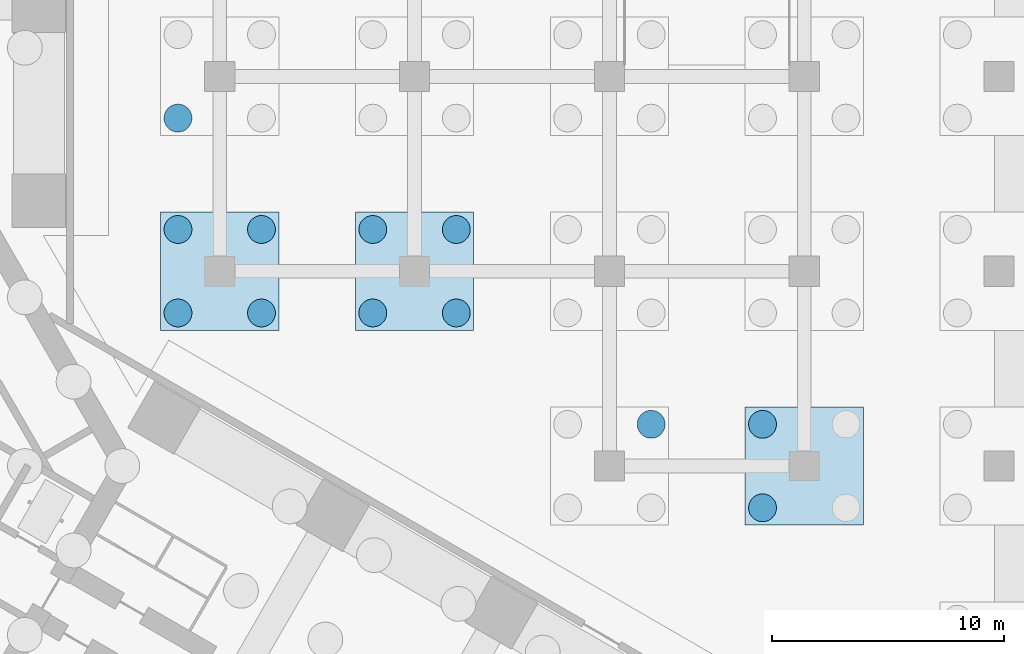
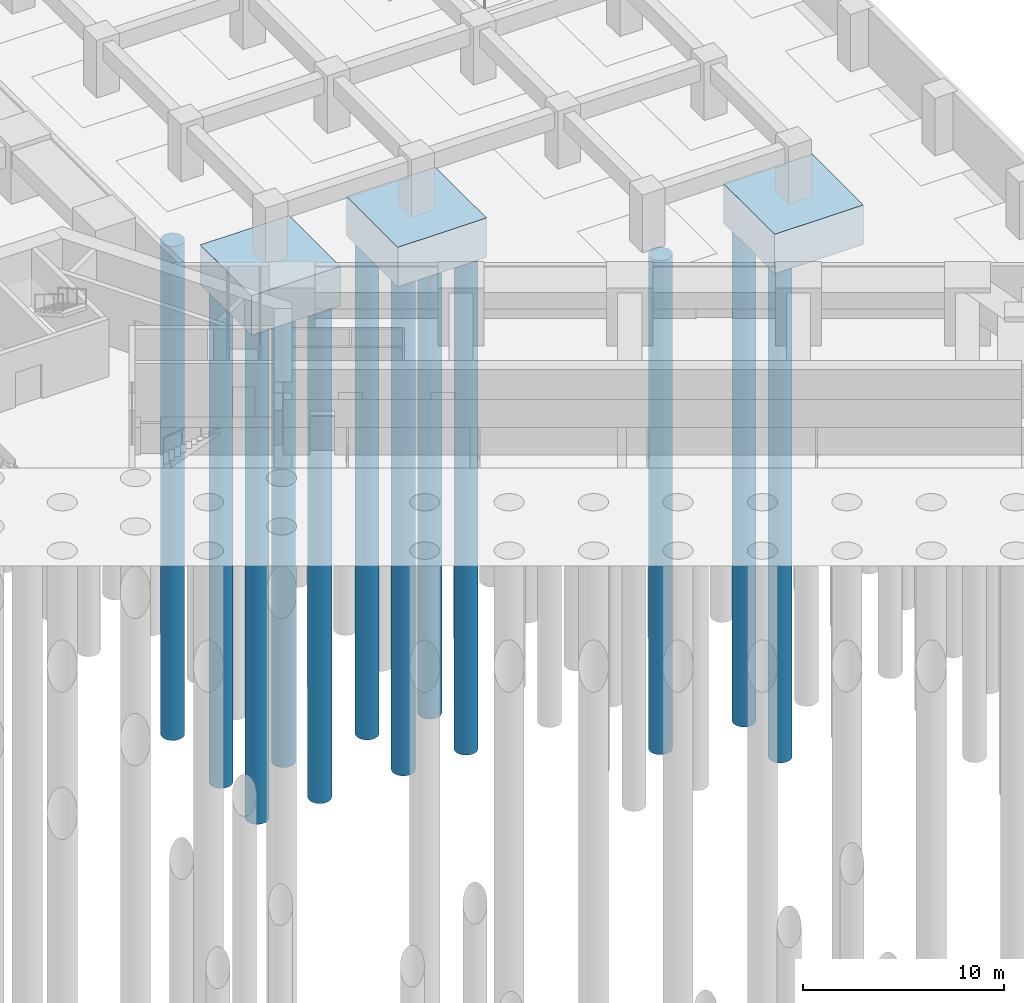
# One storey, part 27 of 73: 12 piles, 3 footings.
"""IFC4 building model written with IfcOpenShell, lengths in metres."""

import ifcopenshell
import ifcopenshell.guid

model = None  # the IFC model being written
_history = None  # IfcOwnerHistory: only IFC2X3 demands one
_inside = {}  # id of a spatial element -> (the spatial element, [elements in it])
_under = {}  # id of a project, library or spatial element -> (it, [spatial elements below it])
_declared = {}  # id of a project -> (the project, [libraries it declares])
_typed = {}  # id of a type object -> (the type object, [elements of that type])
_made_of = {}  # id of a material, layer set ... -> (it, [elements and type objects made of it])


def new_model(schema):
    """Start an empty IFC model of exactly this schema.

    Asked for "IFC4X3", IfcOpenShell would pick the latest addendum, in which some entities
    have other attributes; the version numbers below select the first issue.
    IFC2X3 requires an IfcOwnerHistory on every rooted entity: one is made here for all.
    """
    global model, _history
    if schema == "IFC4X3":
        model = ifcopenshell.file(schema_version=(4, 3, 0, 0))
    else:
        model = ifcopenshell.file(schema=schema)
    _inside.clear()
    _under.clear()
    _declared.clear()
    _typed.clear()
    _made_of.clear()
    _history = None
    if model.schema == "IFC2X3":
        org = make("IfcOrganization", Name="unknown")
        user = make(
            "IfcPersonAndOrganization",
            ThePerson=make("IfcPerson", FamilyName="unknown"),
            TheOrganization=org,
        )
        app = make(
            "IfcApplication",
            ApplicationDeveloper=org,
            Version="unknown",
            ApplicationFullName="unknown",
            ApplicationIdentifier="unknown",
        )
        _history = make(
            "IfcOwnerHistory",
            OwningUser=user,
            OwningApplication=app,
            ChangeAction="ADDED",
            CreationDate=0,
        )
    return model


def make(cls, **values):
    """One entity of the class cls with the attributes given. An attribute that is None is left unset."""
    return model.create_entity(
        cls, **{name: value for name, value in values.items() if value is not None}
    )


def rooted(cls, **values):
    """An entity with a GlobalId (a new one), such as an element, a storey or a relation."""
    return make(cls, GlobalId=ifcopenshell.guid.new(), OwnerHistory=_history, **values)


def si_unit(unit_type, name, prefix=None):
    """IfcSIUnit, for example si_unit("LENGTHUNIT", "METRE", prefix="MILLI")."""
    return make("IfcSIUnit", UnitType=unit_type, Prefix=prefix, Name=name)


def assignment(units):
    """IfcUnitAssignment: the units of a project."""
    return None if units is None else make("IfcUnitAssignment", Units=units)


def point(xyz):
    """IfcCartesianPoint."""
    return None if xyz is None else make("IfcCartesianPoint", Coordinates=xyz)


def direction(xyz):
    """IfcDirection."""
    return None if xyz is None else make("IfcDirection", DirectionRatios=xyz)


def frame(location, z_axis=None, x_axis=None):
    """IfcAxis2Placement3D, a coordinate frame: its origin and axes. An axis left out is left unset."""
    return make(
        "IfcAxis2Placement3D",
        Location=point(location),
        Axis=direction(z_axis),
        RefDirection=direction(x_axis),
    )


def frame_2d(location, x_axis=None):
    """IfcAxis2Placement2D, a coordinate frame in the plane: its origin and x axis."""
    return make(
        "IfcAxis2Placement2D", Location=point(location), RefDirection=direction(x_axis)
    )


def origin():
    """The frame at (0, 0, 0) with its axes left unset."""
    return frame((0.0, 0.0, 0.0))


def origin_2d():
    """The frame at (0, 0) in the plane with its x axis left unset."""
    return frame_2d((0.0, 0.0))


def place(relative_to, where):
    """IfcLocalPlacement: puts the frame where relative to a parent placement (None: the world)."""
    return make(
        "IfcLocalPlacement", PlacementRelTo=relative_to, RelativePlacement=where
    )


def context(
    kind, dimensions, precision=None, world=None, true_north=None, identifier=None
):
    """IfcGeometricRepresentationContext, for example the 3D "Model" context."""
    return make(
        "IfcGeometricRepresentationContext",
        ContextIdentifier=identifier,
        ContextType=kind,
        CoordinateSpaceDimension=dimensions,
        Precision=precision,
        WorldCoordinateSystem=world,
        TrueNorth=true_north,
    )


def subcontext(parent, identifier, kind, view, scale=None):
    """IfcGeometricRepresentationSubContext, for example "Body" below "Model"."""
    return make(
        "IfcGeometricRepresentationSubContext",
        ContextIdentifier=identifier,
        ContextType=kind,
        ParentContext=parent,
        TargetScale=scale,
        TargetView=view,
    )


def project(units=None, contexts=None):
    """IfcProject with its units and contexts."""
    return rooted(
        "IfcProject",
        Name="project",
        RepresentationContexts=contexts,
        UnitsInContext=assignment(units),
    )


def spatial(cls, under=None, at=None, **own):
    """A site, building, storey or space (cls), placed at a placement, below another one or the project."""
    s = rooted(cls, ObjectPlacement=at, **own)
    if under is not None:
        _under.setdefault(under.id(), (under, []))[1].append(s)
    return s


def polyline(points):
    """IfcPolyline through the points."""
    return make("IfcPolyline", Points=[point(p) for p in points])


def profile(cls, at=None, kind="AREA", **sizes):
    """A parametric profile (cls). Its sizes go by their IFC names, for example OverallWidth=200.0."""
    return make(cls, ProfileType=kind, Position=at, **sizes)


def circle(**sizes):
    """IfcCircleProfileDef."""
    return profile("IfcCircleProfileDef", **sizes)


def outline(outer, holes=None, kind="AREA"):
    """IfcArbitraryClosedProfileDef: a profile drawn as a closed curve; with holes, ...WithVoids."""
    if holes is None:
        return make("IfcArbitraryClosedProfileDef", ProfileType=kind, OuterCurve=outer)
    return make(
        "IfcArbitraryProfileDefWithVoids",
        ProfileType=kind,
        OuterCurve=outer,
        InnerCurves=holes,
    )


def extrude(swept, where, along, depth):
    """IfcExtrudedAreaSolid: the profile swept, set in the frame where, extruded along a direction by depth."""
    return make(
        "IfcExtrudedAreaSolid",
        SweptArea=swept,
        Position=where,
        ExtrudedDirection=direction(along),
        Depth=depth,
    )


def shape(context_of_items, identifier, shape_type, items):
    """IfcShapeRepresentation: the items that make up one representation, for example the "Body"."""
    return make(
        "IfcShapeRepresentation",
        ContextOfItems=context_of_items,
        RepresentationIdentifier=identifier,
        RepresentationType=shape_type,
        Items=items,
    )


def material(Name=None, Category=None):
    """IfcMaterial."""
    return make("IfcMaterial", Name=Name, Category=Category)


def material_profile(
    of_material, cross_section, Name=None, Category=None, Priority=None
):
    """IfcMaterialProfile: a cross section and its material."""
    return make(
        "IfcMaterialProfile",
        Name=Name,
        Material=of_material,
        Profile=cross_section,
        Priority=Priority,
        Category=Category,
    )


def profile_set(profiles, Name=None, composite=None):
    """IfcMaterialProfileSet."""
    return make(
        "IfcMaterialProfileSet",
        Name=Name,
        MaterialProfiles=profiles,
        CompositeProfile=composite,
    )


def made_of(thing, what):
    """Note that an element or type object is made of a material, layer set ...; save() writes the relation."""
    if what is not None:
        _made_of.setdefault(what.id(), (what, []))[1].append(thing)
    return thing


def type_object(cls, material=None, **own):
    """A type object (cls), such as IfcWallType, which elements share."""
    return made_of(rooted(cls, **own), material)


def element(
    cls,
    number,
    at=None,
    inside=None,
    cuts=None,
    type_object=None,
    material=None,
    context=None,
    identifier="Body",
    shape_type=None,
    held_by="IfcProductDefinitionShape",
    body=None,
    shapes=None,
    **own,
):
    """One element of the class cls, such as IfcWall. Its Tag is "e" and its number.

    at: its placement. inside: the storey or other place that contains it. cuts: it is an
    opening in that element (IfcRelVoidsElement). A single representation is given by context,
    identifier, shape_type and body (its items); several are given by shapes. held_by: the class
    of the entity that holds the representations. save() writes the other relations.
    """
    e = rooted(cls, Tag="e%d" % number, ObjectPlacement=at, **own)
    if body is not None:
        shapes = [shape(context, identifier, shape_type, body)]
    if shapes is not None:
        e.Representation = make(held_by, Representations=shapes)
    if inside is not None:
        _inside.setdefault(inside.id(), (inside, []))[1].append(e)
    if cuts is not None:
        rooted(
            "IfcRelVoidsElement", RelatingBuildingElement=cuts, RelatedOpeningElement=e
        )
    if type_object is not None:
        _typed.setdefault(type_object.id(), (type_object, []))[1].append(e)
    return made_of(e, material)


def aggregate(whole, parts):
    """IfcRelAggregates: a whole, such as a stair, and the parts it consists of."""
    return rooted("IfcRelAggregates", RelatingObject=whole, RelatedObjects=parts)


def save(model, path):
    """Write the relations noted so far, then the file.

    IfcRelAggregates (storeys below a building ...), IfcRelContainedInSpatialStructure (elements
    in a storey), IfcRelDefinesByType, IfcRelAssociatesMaterial and IfcRelDeclares: one each for
    every whole, place, type object, material and project.
    """
    for whole, parts in _under.values():
        aggregate(whole, parts)
    for where, things in _inside.values():
        rooted(
            "IfcRelContainedInSpatialStructure",
            RelatedElements=things,
            RelatingStructure=where,
        )
    for kind, things in _typed.values():
        rooted("IfcRelDefinesByType", RelatedObjects=things, RelatingType=kind)
    for what, things in _made_of.values():
        rooted("IfcRelAssociatesMaterial", RelatedObjects=things, RelatingMaterial=what)
    for by, libraries in _declared.values():
        rooted("IfcRelDeclares", RelatingContext=by, RelatedDefinitions=libraries)
    model.write(path)


model = new_model("IFC4")

# Units and contexts
model_context = context("Model", 3, precision=1e-05, world=origin(), true_north=direction((0.0, 1.0)))
body_context = subcontext(model_context, "Body", "Model", "MODEL_VIEW")
ifc_project = project(units=[si_unit("LENGTHUNIT", "METRE"), si_unit("AREAUNIT", "SQUARE_METRE"), si_unit("VOLUMEUNIT", "CUBIC_METRE"), si_unit("PLANEANGLEUNIT", "RADIAN"), si_unit("MASSUNIT", "GRAM", prefix="KILO")], contexts=[model_context])

# Site, building, storey
site_placement = place(None, origin())
site = spatial("IfcSite", under=ifc_project, at=site_placement, CompositionType="ELEMENT")
building_placement = place(site_placement, origin())
building = spatial("IfcBuilding", under=site, at=building_placement, Name="Impinga Residences", CompositionType="ELEMENT")
storey_placement = place(building_placement, frame((0.0, 0.0, -10.5)))
storey = spatial("IfcBuildingStorey", under=building, at=storey_placement, Name="B3", CompositionType="ELEMENT", Elevation=-10.5)

# Piles
ifc_material_1 = material(Name="Concrete C35/45", Category="concrete")
ifc_material_profile = material_profile(ifc_material_1, circle(Radius=0.60009765625, at=origin_2d()), Name="D1200")
ifc_profile_set = profile_set([ifc_material_profile], Name="Concrete C35/45")
pile_type = type_object("IfcPileType", Name="BP2 bored pile D1200", PredefinedType="BORED", material=ifc_profile_set)
pile_1_placement = place(storey_placement, frame((15.0, 6.60009765625, -2.39990234375), z_axis=(0.0, 0.0, -1.0), x_axis=(1.0, 0.0, 0.0)))
element("IfcPile", 1, at=pile_1_placement, inside=storey, type_object=pile_type, Name="Cap pile BP2 9/G-1", PredefinedType="BORED", context=body_context, shape_type="SweptSolid", body=[
    extrude(outline(polyline([(0.60009765625, 0.0), (0.59716796875, 0.058837890625), (0.58837890625, 0.116943359375), (0.57421875, 0.174072265625), (0.554443359375, 0.2294921875), (0.529052734375, 0.282958984375), (0.498779296875, 0.333251953125), (0.4638671875, 0.380615234375), (0.42431640625, 0.42431640625), (0.380615234375, 0.4638671875), (0.333251953125, 0.498779296875), (0.282958984375, 0.529052734375), (0.2294921875, 0.554443359375), (0.174072265625, 0.57421875), (0.116943359375, 0.58837890625), (0.058837890625, 0.59716796875), (0.0, 0.60009765625), (-0.058837890625, 0.59716796875), (-0.116943359375, 0.58837890625), (-0.174072265625, 0.57421875), (-0.2294921875, 0.554443359375), (-0.282958984375, 0.529052734375), (-0.333251953125, 0.498779296875), (-0.380615234375, 0.4638671875), (-0.42431640625, 0.42431640625), (-0.4638671875, 0.380615234375), (-0.498779296875, 0.333251953125), (-0.529052734375, 0.282958984375), (-0.554443359375, 0.2294921875), (-0.57421875, 0.174072265625), (-0.58837890625, 0.116943359375), (-0.59716796875, 0.058837890625), (-0.60009765625, 0.0), (-0.59716796875, -0.058837890625), (-0.58837890625, -0.116943359375), (-0.57421875, -0.174072265625), (-0.554443359375, -0.2294921875), (-0.529052734375, -0.282958984375), (-0.498779296875, -0.333251953125), (-0.4638671875, -0.380615234375), (-0.42431640625, -0.42431640625), (-0.380615234375, -0.4638671875), (-0.333251953125, -0.498779296875), (-0.282958984375, -0.529052734375), (-0.2294921875, -0.554443359375), (-0.174072265625, -0.57421875), (-0.116943359375, -0.58837890625), (-0.058837890625, -0.59716796875), (0.0, -0.60009765625), (0.058837890625, -0.59716796875), (0.116943359375, -0.58837890625), (0.174072265625, -0.57421875), (0.2294921875, -0.554443359375), (0.282958984375, -0.529052734375), (0.333251953125, -0.498779296875), (0.380615234375, -0.4638671875), (0.42431640625, -0.42431640625), (0.4638671875, -0.380615234375), (0.498779296875, -0.333251953125), (0.529052734375, -0.282958984375), (0.554443359375, -0.2294921875), (0.57421875, -0.174072265625), (0.58837890625, -0.116943359375), (0.59716796875, -0.058837890625), (0.60009765625, 0.0)])), origin(), (0.0, 0.0, 1.0), 30.0),
])
pile_2_placement = place(storey_placement, frame((18.60009765625, 6.60009765625, -2.39990234375), z_axis=(0.0, 0.0, -1.0), x_axis=(1.0, 0.0, 0.0)))
element("IfcPile", 2, at=pile_2_placement, inside=storey, type_object=pile_type, Name="Cap pile BP2 9/G-2", PredefinedType="BORED", context=body_context, shape_type="SweptSolid", body=[
    extrude(outline(polyline([(0.60009765625, 0.0), (0.59716796875, 0.058837890625), (0.58837890625, 0.116943359375), (0.57421875, 0.174072265625), (0.554443359375, 0.2294921875), (0.529052734375, 0.282958984375), (0.498779296875, 0.333251953125), (0.4638671875, 0.380615234375), (0.42431640625, 0.42431640625), (0.380615234375, 0.4638671875), (0.333251953125, 0.498779296875), (0.282958984375, 0.529052734375), (0.2294921875, 0.554443359375), (0.174072265625, 0.57421875), (0.116943359375, 0.58837890625), (0.058837890625, 0.59716796875), (0.0, 0.60009765625), (-0.058837890625, 0.59716796875), (-0.116943359375, 0.58837890625), (-0.174072265625, 0.57421875), (-0.2294921875, 0.554443359375), (-0.282958984375, 0.529052734375), (-0.333251953125, 0.498779296875), (-0.380615234375, 0.4638671875), (-0.42431640625, 0.42431640625), (-0.4638671875, 0.380615234375), (-0.498779296875, 0.333251953125), (-0.529052734375, 0.282958984375), (-0.554443359375, 0.2294921875), (-0.57421875, 0.174072265625), (-0.58837890625, 0.116943359375), (-0.59716796875, 0.058837890625), (-0.60009765625, 0.0), (-0.59716796875, -0.058837890625), (-0.58837890625, -0.116943359375), (-0.57421875, -0.174072265625), (-0.554443359375, -0.2294921875), (-0.529052734375, -0.282958984375), (-0.498779296875, -0.333251953125), (-0.4638671875, -0.380615234375), (-0.42431640625, -0.42431640625), (-0.380615234375, -0.4638671875), (-0.333251953125, -0.498779296875), (-0.282958984375, -0.529052734375), (-0.2294921875, -0.554443359375), (-0.174072265625, -0.57421875), (-0.116943359375, -0.58837890625), (-0.058837890625, -0.59716796875), (0.0, -0.60009765625), (0.058837890625, -0.59716796875), (0.116943359375, -0.58837890625), (0.174072265625, -0.57421875), (0.2294921875, -0.554443359375), (0.282958984375, -0.529052734375), (0.333251953125, -0.498779296875), (0.380615234375, -0.4638671875), (0.42431640625, -0.42431640625), (0.4638671875, -0.380615234375), (0.498779296875, -0.333251953125), (0.529052734375, -0.282958984375), (0.554443359375, -0.2294921875), (0.57421875, -0.174072265625), (0.58837890625, -0.116943359375), (0.59716796875, -0.058837890625), (0.60009765625, 0.0)])), origin(), (0.0, 0.0, 1.0), 30.0),
])
pile_3_placement = place(storey_placement, frame((18.60009765625, 10.199951171875, -2.39990234375), z_axis=(0.0, 0.0, -1.0), x_axis=(1.0, 0.0, 0.0)))
element("IfcPile", 3, at=pile_3_placement, inside=storey, type_object=pile_type, Name="Cap pile BP2 9/G-3", PredefinedType="BORED", context=body_context, shape_type="SweptSolid", body=[
    extrude(outline(polyline([(0.60009765625, 0.0), (0.59716796875, 0.058837890625), (0.58837890625, 0.116943359375), (0.57421875, 0.174072265625), (0.554443359375, 0.2294921875), (0.529052734375, 0.282958984375), (0.498779296875, 0.333251953125), (0.4638671875, 0.380615234375), (0.42431640625, 0.42431640625), (0.380615234375, 0.4638671875), (0.333251953125, 0.498779296875), (0.282958984375, 0.529052734375), (0.2294921875, 0.554443359375), (0.174072265625, 0.57421875), (0.116943359375, 0.58837890625), (0.058837890625, 0.59716796875), (0.0, 0.60009765625), (-0.058837890625, 0.59716796875), (-0.116943359375, 0.58837890625), (-0.174072265625, 0.57421875), (-0.2294921875, 0.554443359375), (-0.282958984375, 0.529052734375), (-0.333251953125, 0.498779296875), (-0.380615234375, 0.4638671875), (-0.42431640625, 0.42431640625), (-0.4638671875, 0.380615234375), (-0.498779296875, 0.333251953125), (-0.529052734375, 0.282958984375), (-0.554443359375, 0.2294921875), (-0.57421875, 0.174072265625), (-0.58837890625, 0.116943359375), (-0.59716796875, 0.058837890625), (-0.60009765625, 0.0), (-0.59716796875, -0.058837890625), (-0.58837890625, -0.116943359375), (-0.57421875, -0.174072265625), (-0.554443359375, -0.2294921875), (-0.529052734375, -0.282958984375), (-0.498779296875, -0.333251953125), (-0.4638671875, -0.380615234375), (-0.42431640625, -0.42431640625), (-0.380615234375, -0.4638671875), (-0.333251953125, -0.498779296875), (-0.282958984375, -0.529052734375), (-0.2294921875, -0.554443359375), (-0.174072265625, -0.57421875), (-0.116943359375, -0.58837890625), (-0.058837890625, -0.59716796875), (0.0, -0.60009765625), (0.058837890625, -0.59716796875), (0.116943359375, -0.58837890625), (0.174072265625, -0.57421875), (0.2294921875, -0.554443359375), (0.282958984375, -0.529052734375), (0.333251953125, -0.498779296875), (0.380615234375, -0.4638671875), (0.42431640625, -0.42431640625), (0.4638671875, -0.380615234375), (0.498779296875, -0.333251953125), (0.529052734375, -0.282958984375), (0.554443359375, -0.2294921875), (0.57421875, -0.174072265625), (0.58837890625, -0.116943359375), (0.59716796875, -0.058837890625), (0.60009765625, 0.0)])), origin(), (0.0, 0.0, 1.0), 30.0),
])
pile_4_placement = place(storey_placement, frame((15.0, 10.199951171875, -2.39990234375), z_axis=(0.0, 0.0, -1.0), x_axis=(1.0, 0.0, 0.0)))
element("IfcPile", 4, at=pile_4_placement, inside=storey, type_object=pile_type, Name="Cap pile BP2 9/G-4", PredefinedType="BORED", context=body_context, shape_type="SweptSolid", body=[
    extrude(outline(polyline([(0.60009765625, 0.0), (0.59716796875, 0.058837890625), (0.58837890625, 0.116943359375), (0.57421875, 0.174072265625), (0.554443359375, 0.2294921875), (0.529052734375, 0.282958984375), (0.498779296875, 0.333251953125), (0.4638671875, 0.380615234375), (0.42431640625, 0.42431640625), (0.380615234375, 0.4638671875), (0.333251953125, 0.498779296875), (0.282958984375, 0.529052734375), (0.2294921875, 0.554443359375), (0.174072265625, 0.57421875), (0.116943359375, 0.58837890625), (0.058837890625, 0.59716796875), (0.0, 0.60009765625), (-0.058837890625, 0.59716796875), (-0.116943359375, 0.58837890625), (-0.174072265625, 0.57421875), (-0.2294921875, 0.554443359375), (-0.282958984375, 0.529052734375), (-0.333251953125, 0.498779296875), (-0.380615234375, 0.4638671875), (-0.42431640625, 0.42431640625), (-0.4638671875, 0.380615234375), (-0.498779296875, 0.333251953125), (-0.529052734375, 0.282958984375), (-0.554443359375, 0.2294921875), (-0.57421875, 0.174072265625), (-0.58837890625, 0.116943359375), (-0.59716796875, 0.058837890625), (-0.60009765625, 0.0), (-0.59716796875, -0.058837890625), (-0.58837890625, -0.116943359375), (-0.57421875, -0.174072265625), (-0.554443359375, -0.2294921875), (-0.529052734375, -0.282958984375), (-0.498779296875, -0.333251953125), (-0.4638671875, -0.380615234375), (-0.42431640625, -0.42431640625), (-0.380615234375, -0.4638671875), (-0.333251953125, -0.498779296875), (-0.282958984375, -0.529052734375), (-0.2294921875, -0.554443359375), (-0.174072265625, -0.57421875), (-0.116943359375, -0.58837890625), (-0.058837890625, -0.59716796875), (0.0, -0.60009765625), (0.058837890625, -0.59716796875), (0.116943359375, -0.58837890625), (0.174072265625, -0.57421875), (0.2294921875, -0.554443359375), (0.282958984375, -0.529052734375), (0.333251953125, -0.498779296875), (0.380615234375, -0.4638671875), (0.42431640625, -0.42431640625), (0.4638671875, -0.380615234375), (0.498779296875, -0.333251953125), (0.529052734375, -0.282958984375), (0.554443359375, -0.2294921875), (0.57421875, -0.174072265625), (0.58837890625, -0.116943359375), (0.59716796875, -0.058837890625), (0.60009765625, 0.0)])), origin(), (0.0, 0.0, 1.0), 30.0),
])
pile_5_placement = place(storey_placement, frame((15.0, 15.0, -2.39990234375), z_axis=(0.0, 0.0, -1.0), x_axis=(1.0, 0.0, 0.0)))
element("IfcPile", 5, at=pile_5_placement, inside=storey, type_object=pile_type, Name="Cap pile BP2 9/H-1", PredefinedType="BORED", context=body_context, shape_type="SweptSolid", body=[
    extrude(outline(polyline([(0.60009765625, 0.0), (0.59716796875, 0.058837890625), (0.58837890625, 0.116943359375), (0.57421875, 0.174072265625), (0.554443359375, 0.2294921875), (0.529052734375, 0.282958984375), (0.498779296875, 0.333251953125), (0.4638671875, 0.380615234375), (0.42431640625, 0.42431640625), (0.380615234375, 0.4638671875), (0.333251953125, 0.498779296875), (0.282958984375, 0.529052734375), (0.2294921875, 0.554443359375), (0.174072265625, 0.57421875), (0.116943359375, 0.58837890625), (0.058837890625, 0.59716796875), (0.0, 0.60009765625), (-0.058837890625, 0.59716796875), (-0.116943359375, 0.58837890625), (-0.174072265625, 0.57421875), (-0.2294921875, 0.554443359375), (-0.282958984375, 0.529052734375), (-0.333251953125, 0.498779296875), (-0.380615234375, 0.4638671875), (-0.42431640625, 0.42431640625), (-0.4638671875, 0.380615234375), (-0.498779296875, 0.333251953125), (-0.529052734375, 0.282958984375), (-0.554443359375, 0.2294921875), (-0.57421875, 0.174072265625), (-0.58837890625, 0.116943359375), (-0.59716796875, 0.058837890625), (-0.60009765625, 0.0), (-0.59716796875, -0.058837890625), (-0.58837890625, -0.116943359375), (-0.57421875, -0.174072265625), (-0.554443359375, -0.2294921875), (-0.529052734375, -0.282958984375), (-0.498779296875, -0.333251953125), (-0.4638671875, -0.380615234375), (-0.42431640625, -0.42431640625), (-0.380615234375, -0.4638671875), (-0.333251953125, -0.498779296875), (-0.282958984375, -0.529052734375), (-0.2294921875, -0.554443359375), (-0.174072265625, -0.57421875), (-0.116943359375, -0.58837890625), (-0.058837890625, -0.59716796875), (0.0, -0.60009765625), (0.058837890625, -0.59716796875), (0.116943359375, -0.58837890625), (0.174072265625, -0.57421875), (0.2294921875, -0.554443359375), (0.282958984375, -0.529052734375), (0.333251953125, -0.498779296875), (0.380615234375, -0.4638671875), (0.42431640625, -0.42431640625), (0.4638671875, -0.380615234375), (0.498779296875, -0.333251953125), (0.529052734375, -0.282958984375), (0.554443359375, -0.2294921875), (0.57421875, -0.174072265625), (0.58837890625, -0.116943359375), (0.59716796875, -0.058837890625), (0.60009765625, 0.0)])), origin(), (0.0, 0.0, 1.0), 30.0),
])
pile_6_placement = place(storey_placement, frame((23.39990234375, 6.60009765625, -2.39990234375), z_axis=(0.0, 0.0, -1.0), x_axis=(1.0, 0.0, 0.0)))
element("IfcPile", 6, at=pile_6_placement, inside=storey, type_object=pile_type, Name="Cap pile BP2 10/G-1", PredefinedType="BORED", context=body_context, shape_type="SweptSolid", body=[
    extrude(outline(polyline([(0.60009765625, 0.0), (0.59716796875, 0.058837890625), (0.58837890625, 0.116943359375), (0.57421875, 0.174072265625), (0.554443359375, 0.2294921875), (0.529052734375, 0.282958984375), (0.498779296875, 0.333251953125), (0.4638671875, 0.380615234375), (0.42431640625, 0.42431640625), (0.380615234375, 0.4638671875), (0.333251953125, 0.498779296875), (0.282958984375, 0.529052734375), (0.2294921875, 0.554443359375), (0.174072265625, 0.57421875), (0.116943359375, 0.58837890625), (0.058837890625, 0.59716796875), (0.0, 0.60009765625), (-0.058837890625, 0.59716796875), (-0.116943359375, 0.58837890625), (-0.174072265625, 0.57421875), (-0.2294921875, 0.554443359375), (-0.282958984375, 0.529052734375), (-0.333251953125, 0.498779296875), (-0.380615234375, 0.4638671875), (-0.42431640625, 0.42431640625), (-0.4638671875, 0.380615234375), (-0.498779296875, 0.333251953125), (-0.529052734375, 0.282958984375), (-0.554443359375, 0.2294921875), (-0.57421875, 0.174072265625), (-0.58837890625, 0.116943359375), (-0.59716796875, 0.058837890625), (-0.60009765625, 0.0), (-0.59716796875, -0.058837890625), (-0.58837890625, -0.116943359375), (-0.57421875, -0.174072265625), (-0.554443359375, -0.2294921875), (-0.529052734375, -0.282958984375), (-0.498779296875, -0.333251953125), (-0.4638671875, -0.380615234375), (-0.42431640625, -0.42431640625), (-0.380615234375, -0.4638671875), (-0.333251953125, -0.498779296875), (-0.282958984375, -0.529052734375), (-0.2294921875, -0.554443359375), (-0.174072265625, -0.57421875), (-0.116943359375, -0.58837890625), (-0.058837890625, -0.59716796875), (0.0, -0.60009765625), (0.058837890625, -0.59716796875), (0.116943359375, -0.58837890625), (0.174072265625, -0.57421875), (0.2294921875, -0.554443359375), (0.282958984375, -0.529052734375), (0.333251953125, -0.498779296875), (0.380615234375, -0.4638671875), (0.42431640625, -0.42431640625), (0.4638671875, -0.380615234375), (0.498779296875, -0.333251953125), (0.529052734375, -0.282958984375), (0.554443359375, -0.2294921875), (0.57421875, -0.174072265625), (0.58837890625, -0.116943359375), (0.59716796875, -0.058837890625), (0.60009765625, 0.0)])), origin(), (0.0, 0.0, 1.0), 30.0),
])
pile_7_placement = place(storey_placement, frame((27.0, 6.60009765625, -2.39990234375), z_axis=(0.0, 0.0, -1.0), x_axis=(1.0, 0.0, 0.0)))
element("IfcPile", 7, at=pile_7_placement, inside=storey, type_object=pile_type, Name="Cap pile BP2 10/G-2", PredefinedType="BORED", context=body_context, shape_type="SweptSolid", body=[
    extrude(outline(polyline([(0.60009765625, 0.0), (0.59716796875, 0.058837890625), (0.58837890625, 0.116943359375), (0.57421875, 0.174072265625), (0.554443359375, 0.2294921875), (0.529052734375, 0.282958984375), (0.498779296875, 0.333251953125), (0.4638671875, 0.380615234375), (0.42431640625, 0.42431640625), (0.380615234375, 0.4638671875), (0.333251953125, 0.498779296875), (0.282958984375, 0.529052734375), (0.2294921875, 0.554443359375), (0.174072265625, 0.57421875), (0.116943359375, 0.58837890625), (0.058837890625, 0.59716796875), (0.0, 0.60009765625), (-0.058837890625, 0.59716796875), (-0.116943359375, 0.58837890625), (-0.174072265625, 0.57421875), (-0.2294921875, 0.554443359375), (-0.282958984375, 0.529052734375), (-0.333251953125, 0.498779296875), (-0.380615234375, 0.4638671875), (-0.42431640625, 0.42431640625), (-0.4638671875, 0.380615234375), (-0.498779296875, 0.333251953125), (-0.529052734375, 0.282958984375), (-0.554443359375, 0.2294921875), (-0.57421875, 0.174072265625), (-0.58837890625, 0.116943359375), (-0.59716796875, 0.058837890625), (-0.60009765625, 0.0), (-0.59716796875, -0.058837890625), (-0.58837890625, -0.116943359375), (-0.57421875, -0.174072265625), (-0.554443359375, -0.2294921875), (-0.529052734375, -0.282958984375), (-0.498779296875, -0.333251953125), (-0.4638671875, -0.380615234375), (-0.42431640625, -0.42431640625), (-0.380615234375, -0.4638671875), (-0.333251953125, -0.498779296875), (-0.282958984375, -0.529052734375), (-0.2294921875, -0.554443359375), (-0.174072265625, -0.57421875), (-0.116943359375, -0.58837890625), (-0.058837890625, -0.59716796875), (0.0, -0.60009765625), (0.058837890625, -0.59716796875), (0.116943359375, -0.58837890625), (0.174072265625, -0.57421875), (0.2294921875, -0.554443359375), (0.282958984375, -0.529052734375), (0.333251953125, -0.498779296875), (0.380615234375, -0.4638671875), (0.42431640625, -0.42431640625), (0.4638671875, -0.380615234375), (0.498779296875, -0.333251953125), (0.529052734375, -0.282958984375), (0.554443359375, -0.2294921875), (0.57421875, -0.174072265625), (0.58837890625, -0.116943359375), (0.59716796875, -0.058837890625), (0.60009765625, 0.0)])), origin(), (0.0, 0.0, 1.0), 30.0),
])
pile_8_placement = place(storey_placement, frame((27.0, 10.199951171875, -2.39990234375), z_axis=(0.0, 0.0, -1.0), x_axis=(1.0, 0.0, 0.0)))
element("IfcPile", 8, at=pile_8_placement, inside=storey, type_object=pile_type, Name="Cap pile BP2 10/G-3", PredefinedType="BORED", context=body_context, shape_type="SweptSolid", body=[
    extrude(outline(polyline([(0.60009765625, 0.0), (0.59716796875, 0.058837890625), (0.58837890625, 0.116943359375), (0.57421875, 0.174072265625), (0.554443359375, 0.2294921875), (0.529052734375, 0.282958984375), (0.498779296875, 0.333251953125), (0.4638671875, 0.380615234375), (0.42431640625, 0.42431640625), (0.380615234375, 0.4638671875), (0.333251953125, 0.498779296875), (0.282958984375, 0.529052734375), (0.2294921875, 0.554443359375), (0.174072265625, 0.57421875), (0.116943359375, 0.58837890625), (0.058837890625, 0.59716796875), (0.0, 0.60009765625), (-0.058837890625, 0.59716796875), (-0.116943359375, 0.58837890625), (-0.174072265625, 0.57421875), (-0.2294921875, 0.554443359375), (-0.282958984375, 0.529052734375), (-0.333251953125, 0.498779296875), (-0.380615234375, 0.4638671875), (-0.42431640625, 0.42431640625), (-0.4638671875, 0.380615234375), (-0.498779296875, 0.333251953125), (-0.529052734375, 0.282958984375), (-0.554443359375, 0.2294921875), (-0.57421875, 0.174072265625), (-0.58837890625, 0.116943359375), (-0.59716796875, 0.058837890625), (-0.60009765625, 0.0), (-0.59716796875, -0.058837890625), (-0.58837890625, -0.116943359375), (-0.57421875, -0.174072265625), (-0.554443359375, -0.2294921875), (-0.529052734375, -0.282958984375), (-0.498779296875, -0.333251953125), (-0.4638671875, -0.380615234375), (-0.42431640625, -0.42431640625), (-0.380615234375, -0.4638671875), (-0.333251953125, -0.498779296875), (-0.282958984375, -0.529052734375), (-0.2294921875, -0.554443359375), (-0.174072265625, -0.57421875), (-0.116943359375, -0.58837890625), (-0.058837890625, -0.59716796875), (0.0, -0.60009765625), (0.058837890625, -0.59716796875), (0.116943359375, -0.58837890625), (0.174072265625, -0.57421875), (0.2294921875, -0.554443359375), (0.282958984375, -0.529052734375), (0.333251953125, -0.498779296875), (0.380615234375, -0.4638671875), (0.42431640625, -0.42431640625), (0.4638671875, -0.380615234375), (0.498779296875, -0.333251953125), (0.529052734375, -0.282958984375), (0.554443359375, -0.2294921875), (0.57421875, -0.174072265625), (0.58837890625, -0.116943359375), (0.59716796875, -0.058837890625), (0.60009765625, 0.0)])), origin(), (0.0, 0.0, 1.0), 30.0),
])
pile_9_placement = place(storey_placement, frame((23.39990234375, 10.199951171875, -2.39990234375), z_axis=(0.0, 0.0, -1.0), x_axis=(1.0, 0.0, 0.0)))
element("IfcPile", 9, at=pile_9_placement, inside=storey, type_object=pile_type, Name="Cap pile BP2 10/G-4", PredefinedType="BORED", context=body_context, shape_type="SweptSolid", body=[
    extrude(outline(polyline([(0.60009765625, 0.0), (0.59716796875, 0.058837890625), (0.58837890625, 0.116943359375), (0.57421875, 0.174072265625), (0.554443359375, 0.2294921875), (0.529052734375, 0.282958984375), (0.498779296875, 0.333251953125), (0.4638671875, 0.380615234375), (0.42431640625, 0.42431640625), (0.380615234375, 0.4638671875), (0.333251953125, 0.498779296875), (0.282958984375, 0.529052734375), (0.2294921875, 0.554443359375), (0.174072265625, 0.57421875), (0.116943359375, 0.58837890625), (0.058837890625, 0.59716796875), (0.0, 0.60009765625), (-0.058837890625, 0.59716796875), (-0.116943359375, 0.58837890625), (-0.174072265625, 0.57421875), (-0.2294921875, 0.554443359375), (-0.282958984375, 0.529052734375), (-0.333251953125, 0.498779296875), (-0.380615234375, 0.4638671875), (-0.42431640625, 0.42431640625), (-0.4638671875, 0.380615234375), (-0.498779296875, 0.333251953125), (-0.529052734375, 0.282958984375), (-0.554443359375, 0.2294921875), (-0.57421875, 0.174072265625), (-0.58837890625, 0.116943359375), (-0.59716796875, 0.058837890625), (-0.60009765625, 0.0), (-0.59716796875, -0.058837890625), (-0.58837890625, -0.116943359375), (-0.57421875, -0.174072265625), (-0.554443359375, -0.2294921875), (-0.529052734375, -0.282958984375), (-0.498779296875, -0.333251953125), (-0.4638671875, -0.380615234375), (-0.42431640625, -0.42431640625), (-0.380615234375, -0.4638671875), (-0.333251953125, -0.498779296875), (-0.282958984375, -0.529052734375), (-0.2294921875, -0.554443359375), (-0.174072265625, -0.57421875), (-0.116943359375, -0.58837890625), (-0.058837890625, -0.59716796875), (0.0, -0.60009765625), (0.058837890625, -0.59716796875), (0.116943359375, -0.58837890625), (0.174072265625, -0.57421875), (0.2294921875, -0.554443359375), (0.282958984375, -0.529052734375), (0.333251953125, -0.498779296875), (0.380615234375, -0.4638671875), (0.42431640625, -0.42431640625), (0.4638671875, -0.380615234375), (0.498779296875, -0.333251953125), (0.529052734375, -0.282958984375), (0.554443359375, -0.2294921875), (0.57421875, -0.174072265625), (0.58837890625, -0.116943359375), (0.59716796875, -0.058837890625), (0.60009765625, 0.0)])), origin(), (0.0, 0.0, 1.0), 30.0),
])
pile_10_placement = place(storey_placement, frame((35.39990234375, 1.800048828125, -2.39990234375), z_axis=(0.0, 0.0, -1.0), x_axis=(1.0, 0.0, 0.0)))
element("IfcPile", 10, at=pile_10_placement, inside=storey, type_object=pile_type, Name="Cap pile BP2 11/F-3", PredefinedType="BORED", context=body_context, shape_type="SweptSolid", body=[
    extrude(outline(polyline([(0.60009765625, 0.0), (0.59716796875, 0.058837890625), (0.58837890625, 0.116943359375), (0.57421875, 0.174072265625), (0.554443359375, 0.2294921875), (0.529052734375, 0.282958984375), (0.498779296875, 0.333251953125), (0.4638671875, 0.380615234375), (0.42431640625, 0.42431640625), (0.380615234375, 0.4638671875), (0.333251953125, 0.498779296875), (0.282958984375, 0.529052734375), (0.2294921875, 0.554443359375), (0.174072265625, 0.57421875), (0.116943359375, 0.58837890625), (0.058837890625, 0.59716796875), (0.0, 0.60009765625), (-0.058837890625, 0.59716796875), (-0.116943359375, 0.58837890625), (-0.174072265625, 0.57421875), (-0.2294921875, 0.554443359375), (-0.282958984375, 0.529052734375), (-0.333251953125, 0.498779296875), (-0.380615234375, 0.4638671875), (-0.42431640625, 0.42431640625), (-0.4638671875, 0.380615234375), (-0.498779296875, 0.333251953125), (-0.529052734375, 0.282958984375), (-0.554443359375, 0.2294921875), (-0.57421875, 0.174072265625), (-0.58837890625, 0.116943359375), (-0.59716796875, 0.058837890625), (-0.60009765625, 0.0), (-0.59716796875, -0.058837890625), (-0.58837890625, -0.116943359375), (-0.57421875, -0.174072265625), (-0.554443359375, -0.2294921875), (-0.529052734375, -0.282958984375), (-0.498779296875, -0.333251953125), (-0.4638671875, -0.380615234375), (-0.42431640625, -0.42431640625), (-0.380615234375, -0.4638671875), (-0.333251953125, -0.498779296875), (-0.282958984375, -0.529052734375), (-0.2294921875, -0.554443359375), (-0.174072265625, -0.57421875), (-0.116943359375, -0.58837890625), (-0.058837890625, -0.59716796875), (0.0, -0.60009765625), (0.058837890625, -0.59716796875), (0.116943359375, -0.58837890625), (0.174072265625, -0.57421875), (0.2294921875, -0.554443359375), (0.282958984375, -0.529052734375), (0.333251953125, -0.498779296875), (0.380615234375, -0.4638671875), (0.42431640625, -0.42431640625), (0.4638671875, -0.380615234375), (0.498779296875, -0.333251953125), (0.529052734375, -0.282958984375), (0.554443359375, -0.2294921875), (0.57421875, -0.174072265625), (0.58837890625, -0.116943359375), (0.59716796875, -0.058837890625), (0.60009765625, 0.0)])), origin(), (0.0, 0.0, 1.0), 30.0),
])
pile_11_placement = place(storey_placement, frame((40.199951171875, -1.800048828125, -2.39990234375), z_axis=(0.0, 0.0, -1.0), x_axis=(1.0, 0.0, 0.0)))
element("IfcPile", 11, at=pile_11_placement, inside=storey, type_object=pile_type, Name="Cap pile BP2 12/F-1", PredefinedType="BORED", context=body_context, shape_type="SweptSolid", body=[
    extrude(outline(polyline([(0.60009765625, 0.0), (0.59716796875, 0.058837890625), (0.58837890625, 0.116943359375), (0.57421875, 0.174072265625), (0.554443359375, 0.2294921875), (0.529052734375, 0.282958984375), (0.498779296875, 0.333251953125), (0.4638671875, 0.380615234375), (0.42431640625, 0.42431640625), (0.380615234375, 0.4638671875), (0.333251953125, 0.498779296875), (0.282958984375, 0.529052734375), (0.2294921875, 0.554443359375), (0.174072265625, 0.57421875), (0.116943359375, 0.58837890625), (0.058837890625, 0.59716796875), (0.0, 0.60009765625), (-0.058837890625, 0.59716796875), (-0.116943359375, 0.58837890625), (-0.174072265625, 0.57421875), (-0.2294921875, 0.554443359375), (-0.282958984375, 0.529052734375), (-0.333251953125, 0.498779296875), (-0.380615234375, 0.4638671875), (-0.42431640625, 0.42431640625), (-0.4638671875, 0.380615234375), (-0.498779296875, 0.333251953125), (-0.529052734375, 0.282958984375), (-0.554443359375, 0.2294921875), (-0.57421875, 0.174072265625), (-0.58837890625, 0.116943359375), (-0.59716796875, 0.058837890625), (-0.60009765625, 0.0), (-0.59716796875, -0.058837890625), (-0.58837890625, -0.116943359375), (-0.57421875, -0.174072265625), (-0.554443359375, -0.2294921875), (-0.529052734375, -0.282958984375), (-0.498779296875, -0.333251953125), (-0.4638671875, -0.380615234375), (-0.42431640625, -0.42431640625), (-0.380615234375, -0.4638671875), (-0.333251953125, -0.498779296875), (-0.282958984375, -0.529052734375), (-0.2294921875, -0.554443359375), (-0.174072265625, -0.57421875), (-0.116943359375, -0.58837890625), (-0.058837890625, -0.59716796875), (0.0, -0.60009765625), (0.058837890625, -0.59716796875), (0.116943359375, -0.58837890625), (0.174072265625, -0.57421875), (0.2294921875, -0.554443359375), (0.282958984375, -0.529052734375), (0.333251953125, -0.498779296875), (0.380615234375, -0.4638671875), (0.42431640625, -0.42431640625), (0.4638671875, -0.380615234375), (0.498779296875, -0.333251953125), (0.529052734375, -0.282958984375), (0.554443359375, -0.2294921875), (0.57421875, -0.174072265625), (0.58837890625, -0.116943359375), (0.59716796875, -0.058837890625), (0.60009765625, 0.0)])), origin(), (0.0, 0.0, 1.0), 30.0),
])
pile_12_placement = place(storey_placement, frame((40.199951171875, 1.800048828125, -2.39990234375), z_axis=(0.0, 0.0, -1.0), x_axis=(1.0, 0.0, 0.0)))
element("IfcPile", 12, at=pile_12_placement, inside=storey, type_object=pile_type, Name="Cap pile BP2 12/F-4", PredefinedType="BORED", context=body_context, shape_type="SweptSolid", body=[
    extrude(outline(polyline([(0.60009765625, 0.0), (0.59716796875, 0.058837890625), (0.58837890625, 0.116943359375), (0.57421875, 0.174072265625), (0.554443359375, 0.2294921875), (0.529052734375, 0.282958984375), (0.498779296875, 0.333251953125), (0.4638671875, 0.380615234375), (0.42431640625, 0.42431640625), (0.380615234375, 0.4638671875), (0.333251953125, 0.498779296875), (0.282958984375, 0.529052734375), (0.2294921875, 0.554443359375), (0.174072265625, 0.57421875), (0.116943359375, 0.58837890625), (0.058837890625, 0.59716796875), (0.0, 0.60009765625), (-0.058837890625, 0.59716796875), (-0.116943359375, 0.58837890625), (-0.174072265625, 0.57421875), (-0.2294921875, 0.554443359375), (-0.282958984375, 0.529052734375), (-0.333251953125, 0.498779296875), (-0.380615234375, 0.4638671875), (-0.42431640625, 0.42431640625), (-0.4638671875, 0.380615234375), (-0.498779296875, 0.333251953125), (-0.529052734375, 0.282958984375), (-0.554443359375, 0.2294921875), (-0.57421875, 0.174072265625), (-0.58837890625, 0.116943359375), (-0.59716796875, 0.058837890625), (-0.60009765625, 0.0), (-0.59716796875, -0.058837890625), (-0.58837890625, -0.116943359375), (-0.57421875, -0.174072265625), (-0.554443359375, -0.2294921875), (-0.529052734375, -0.282958984375), (-0.498779296875, -0.333251953125), (-0.4638671875, -0.380615234375), (-0.42431640625, -0.42431640625), (-0.380615234375, -0.4638671875), (-0.333251953125, -0.498779296875), (-0.282958984375, -0.529052734375), (-0.2294921875, -0.554443359375), (-0.174072265625, -0.57421875), (-0.116943359375, -0.58837890625), (-0.058837890625, -0.59716796875), (0.0, -0.60009765625), (0.058837890625, -0.59716796875), (0.116943359375, -0.58837890625), (0.174072265625, -0.57421875), (0.2294921875, -0.554443359375), (0.282958984375, -0.529052734375), (0.333251953125, -0.498779296875), (0.380615234375, -0.4638671875), (0.42431640625, -0.42431640625), (0.4638671875, -0.380615234375), (0.498779296875, -0.333251953125), (0.529052734375, -0.282958984375), (0.554443359375, -0.2294921875), (0.57421875, -0.174072265625), (0.58837890625, -0.116943359375), (0.59716796875, -0.058837890625), (0.60009765625, 0.0)])), origin(), (0.0, 0.0, 1.0), 30.0),
])

# Footings
ifc_material_2 = material(Name="Concrete C45/55", Category="concrete")
footing_type = type_object("IfcFootingType", Name="PC4 four-pile cap 5100 square 2400 deep", PredefinedType="PILE_CAP", material=ifc_material_2)
footing_1_placement = place(storey_placement, frame((0.0, 0.0, -2.39990234375)))
element("IfcFooting", 13, at=footing_1_placement, inside=storey, type_object=footing_type, Name="Pile cap PC4 9/G", PredefinedType="PILE_CAP", context=body_context, shape_type="SweptSolid", body=[
    extrude(outline(polyline([(19.35009765625, 5.85009765625), (19.35009765625, 10.949951171875), (14.25, 10.949951171875), (14.25, 5.85009765625), (19.35009765625, 5.85009765625)])), origin(), (0.0, 0.0, 1.0), 2.39990234375),
])
footing_2_placement = place(storey_placement, frame((0.0, 0.0, -2.39990234375)))
element("IfcFooting", 14, at=footing_2_placement, inside=storey, type_object=footing_type, Name="Pile cap PC4 10/G", PredefinedType="PILE_CAP", context=body_context, shape_type="SweptSolid", body=[
    extrude(outline(polyline([(27.75, 5.85009765625), (27.75, 10.949951171875), (22.64990234375, 10.949951171875), (22.64990234375, 5.85009765625), (27.75, 5.85009765625)])), origin(), (0.0, 0.0, 1.0), 2.39990234375),
])
footing_3_placement = place(storey_placement, frame((0.0, 0.0, -2.39990234375)))
element("IfcFooting", 15, at=footing_3_placement, inside=storey, type_object=footing_type, Name="Pile cap PC4 12/F", PredefinedType="PILE_CAP", context=body_context, shape_type="SweptSolid", body=[
    extrude(outline(polyline([(44.550048828125, -2.550048828125), (44.550048828125, 2.550048828125), (39.449951171875, 2.550048828125), (39.449951171875, -2.550048828125), (44.550048828125, -2.550048828125)])), origin(), (0.0, 0.0, 1.0), 2.39990234375),
])

save(model, "model.ifc")
